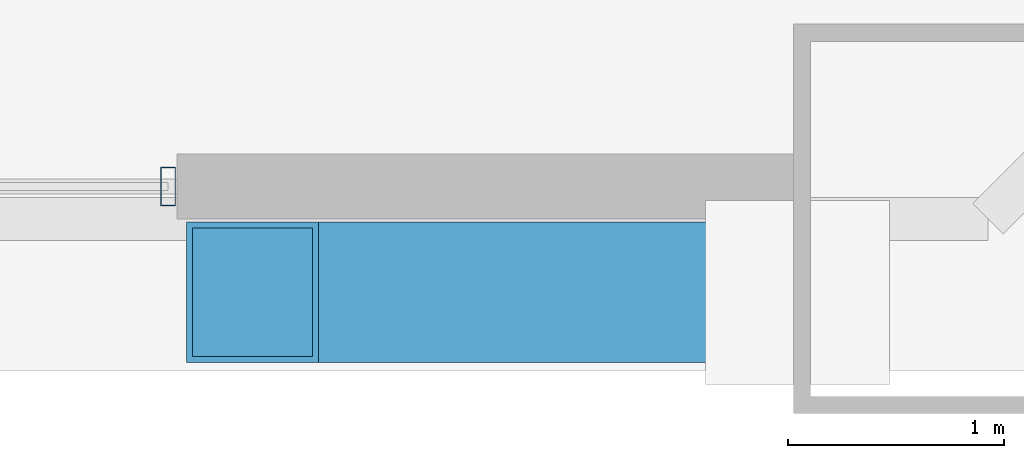
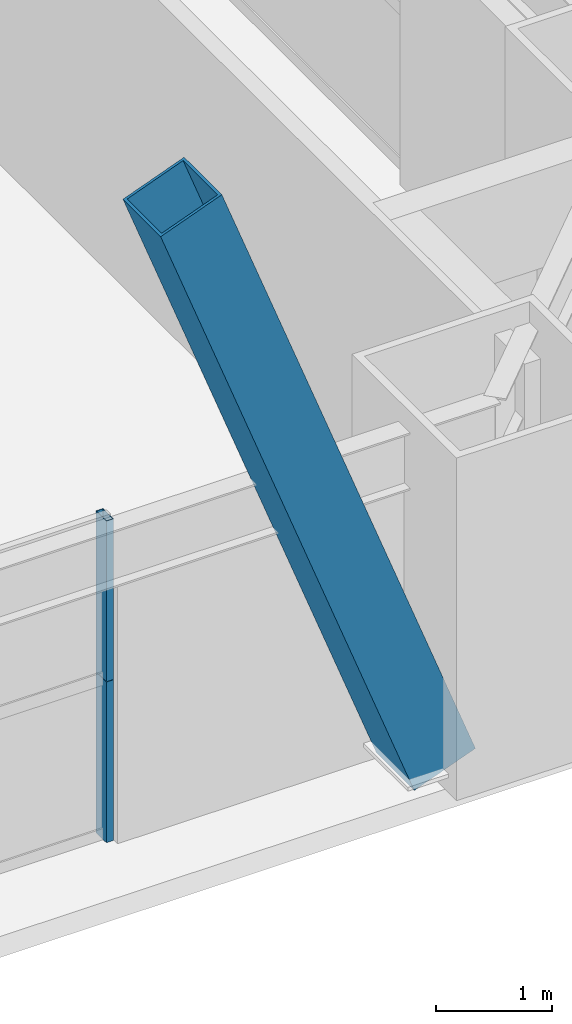
# One storey, part 15 of 43: 3 members, 1 element without a shape of its own.
"""IFC4 building model written with IfcOpenShell, lengths in metres."""

from ifc_helpers import new_model, si_unit, direction, frame, origin, origin_2d, place, context, subcontext, project, spatial, hollow_rectangle, extrude, source, transform, mapped, material, layer, layer_set, material_profile, profile_set, type_object, element, aggregate, save


model = new_model("IFC4")

# Units and contexts
model_context = context("Model", 3, precision=1e-05, world=origin(), true_north=direction((0.0, 1.0)))
body_context = subcontext(model_context, "Body", "Model", "MODEL_VIEW")
ifc_project = project(units=[si_unit("LENGTHUNIT", "METRE"), si_unit("AREAUNIT", "SQUARE_METRE"), si_unit("VOLUMEUNIT", "CUBIC_METRE"), si_unit("PLANEANGLEUNIT", "RADIAN"), si_unit("MASSUNIT", "GRAM", prefix="KILO"), si_unit("THERMODYNAMICTEMPERATUREUNIT", "KELVIN"), si_unit("POWERUNIT", "WATT")], contexts=[model_context])

# Site, building, storey
site_placement = place(None, origin())
site = spatial("IfcSite", under=ifc_project, at=site_placement, CompositionType="ELEMENT")
building_placement = place(site_placement, origin())
building = spatial("IfcBuilding", under=site, at=building_placement, Name="Yuzanri Waterfront Tower", CompositionType="ELEMENT")
storey_placement = place(building_placement, frame((0.0, 0.0, 46.0)))
storey = spatial("IfcBuildingStorey", under=building, at=storey_placement, Name="L11", CompositionType="ELEMENT", Elevation=46.0)

# Member
ifc_material_1 = material(Name="Steel Q420GJC", Category="steel")
ifc_material_profile_1 = material_profile(ifc_material_1, hollow_rectangle(XDim=0.64990234375, YDim=0.64990234375, WallThickness=0.028076171875, at=origin_2d()), Name="RHS 650x650x28")
ifc_profile_set_1 = profile_set([ifc_material_profile_1], Name="Steel Q420GJC")
member_type_1 = type_object("IfcMemberType", Name="Mega Brace Lower Q420GJC RHS 650x650x28", PredefinedType="BRACE", material=ifc_profile_set_1)
shared_shape_1 = source(origin(), body_context, "Body", "SweptSolid", [
    extrude(hollow_rectangle(XDim=0.64990234375, YDim=0.64990234375, WallThickness=0.028076171875, at=origin_2d()), origin(), (0.0, 0.0, 1.0), 7.158203125),
])
member_1_placement = place(storey_placement, frame((57.6201171875, 0.360107421875, 0.179931640625), z_axis=(-0.352046480343, 0.0, 0.935982518896), x_axis=(0.0, -1.0, 0.0)))
element("IfcMember", 1, at=member_1_placement, inside=storey, type_object=member_type_1, Name="L11-L12 Perimeter Mega-Brace S-R", PredefinedType="BRACE", context=body_context, shape_type="MappedRepresentation", body=[
    mapped(shared_shape_1, transform((0.0, 0.0, 0.0), scale=1.0)),
])

# Curtain wall, members
ifc_material_2 = material(Name="Anodized Architectural Bronze", Category="metal")
ifc_layer = layer(ifc_material_2, 0.159912109375)
ifc_layer_set = layer_set([ifc_layer], Name="Anodized Architectural Bronze")
curtain_wall_type = type_object("IfcCurtainWallType", Name="Anodized Bronze Hotel Lower-Tier Recessed Unitized Curtain Wall 8100", PredefinedType="NOTDEFINED", material=ifc_layer_set)
curtain_wall_placement = place(storey_placement, origin())
curtain_wall = element("IfcCurtainWall", 2, at=curtain_wall_placement, inside=storey, type_object=curtain_wall_type, Name="L11 Curtain Wall CW-L11-SR", PredefinedType="NOTDEFINED")
ifc_material_3 = material(Name="Anodized Architectural Bronze", Category="metal")
ifc_material_profile_2 = material_profile(ifc_material_3, hollow_rectangle(XDim=0.070068359375, YDim=0.179931640625, WallThickness=0.00390625, at=origin_2d()), Name="CWM 70x180")
ifc_profile_set_2 = profile_set([ifc_material_profile_2], Name="Anodized Architectural Bronze")
member_type_2 = type_object("IfcMemberType", Name="Anodized Bronze Standard Curtain-Wall Mullion 70x180", PredefinedType="MULLION", material=ifc_profile_set_2)
shared_shape_2 = source(origin(), body_context, "Body", "SweptSolid", [
    extrude(hollow_rectangle(XDim=0.070068359375, YDim=0.179931640625, WallThickness=0.00390625, at=origin_2d()), origin(), (0.0, 0.0, 1.0), 1.68798828125),
])
member_2_placement = place(storey_placement, frame((54.7099609375, 0.85009765625, 0.0), z_axis=(0.0, 0.0, 1.0), x_axis=(1.0, 0.0, 0.0)))
member_2 = element("IfcMember", 3, at=member_2_placement, type_object=member_type_2, Name="CW-L11-SR Lower Mullion 02", PredefinedType="MULLION", context=body_context, shape_type="MappedRepresentation", body=[
    mapped(shared_shape_2, transform((0.0, 0.0, 0.0), scale=1.0)),
])
member_3_placement = place(storey_placement, frame((54.7099609375, 0.85009765625, 1.69189453125), z_axis=(0.0, 0.0, 1.0), x_axis=(1.0, 0.0, 0.0)))
member_3 = element("IfcMember", 4, at=member_3_placement, type_object=member_type_2, Name="CW-L11-SR Upper Mullion 02", PredefinedType="MULLION", context=body_context, shape_type="MappedRepresentation", body=[
    mapped(shared_shape_2, transform((0.0, 0.0, 0.0), scale=1.0)),
])
aggregate(curtain_wall, [member_2, member_3])

save(model, "model.ifc")
